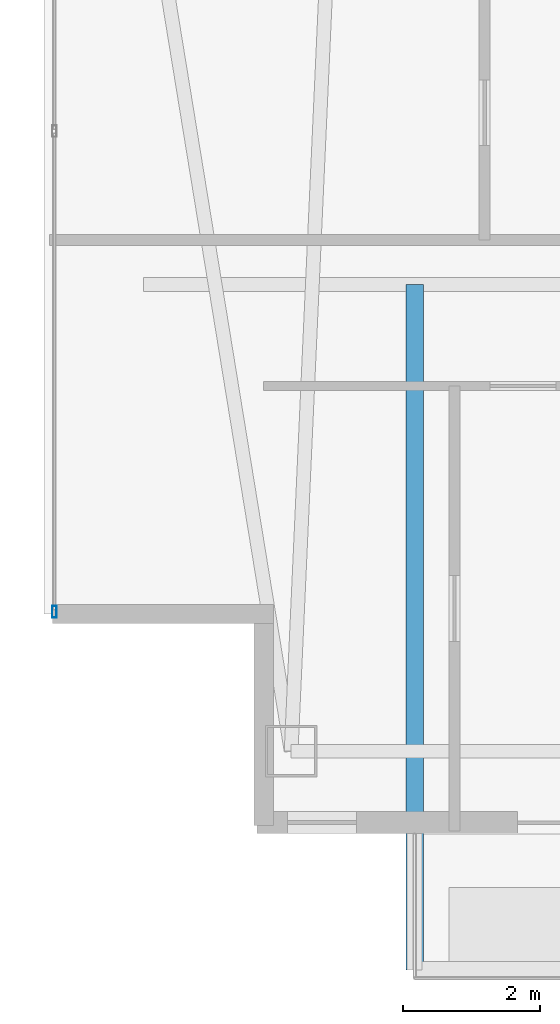
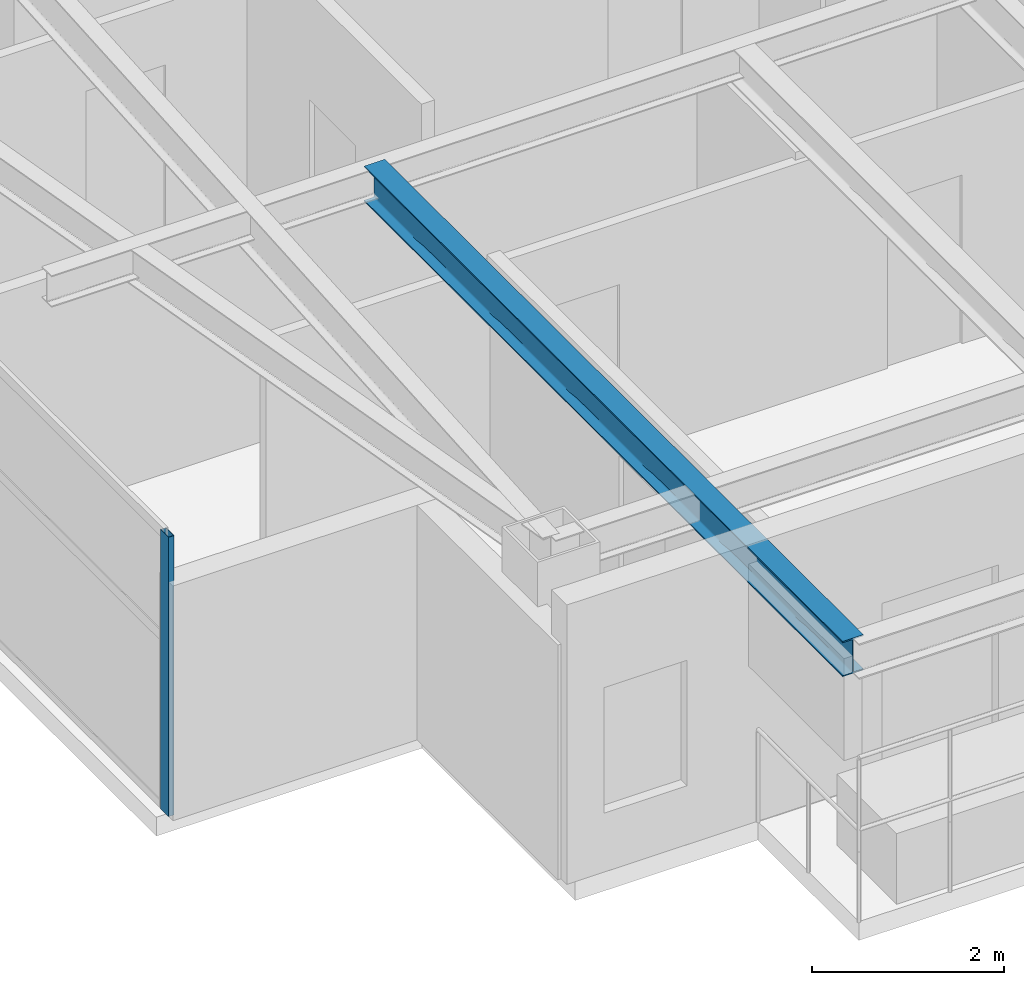
# One storey, part 2 of 29: 1 beam, 1 member, 1 element without a shape of its own.
"""IFC4 building model written with IfcOpenShell, lengths in metres."""

from ifc_helpers import new_model, si_unit, direction, frame, origin, origin_2d, place, context, subcontext, project, spatial, hollow_rectangle, i_section, extrude, material, layer, layer_set, material_profile, profile_set, type_object, element, aggregate, save


model = new_model("IFC4")

# Units and contexts
model_context = context("Model", 3, precision=1e-05, world=origin(), true_north=direction((0.0, 1.0)))
body_context = subcontext(model_context, "Body", "Model", "MODEL_VIEW")
ifc_project = project(units=[si_unit("LENGTHUNIT", "METRE"), si_unit("AREAUNIT", "SQUARE_METRE"), si_unit("VOLUMEUNIT", "CUBIC_METRE"), si_unit("PLANEANGLEUNIT", "RADIAN"), si_unit("MASSUNIT", "GRAM", prefix="KILO")], contexts=[model_context])

# Site, building, storey
site_placement = place(None, origin())
site = spatial("IfcSite", under=ifc_project, at=site_placement, CompositionType="ELEMENT")
building_placement = place(site_placement, origin())
building = spatial("IfcBuilding", under=site, at=building_placement, Name="Calvorn Quay Hotel", CompositionType="ELEMENT")
storey_placement = place(building_placement, frame((0.0, 0.0, 255.199951171875)))
storey = spatial("IfcBuildingStorey", under=building, at=storey_placement, Name="L63", CompositionType="ELEMENT", Elevation=255.199951171875)

# Beam
ifc_material_1 = material(Name="Steel Q355B", Category="steel")
ifc_material_profile_1 = material_profile(ifc_material_1, i_section(OverallWidth=0.25, OverallDepth=0.449951171875, WebThickness=0.011962890625, FlangeThickness=0.01611328125, FilletRadius=0.01611328125, at=origin_2d()), Name="HN450x250x12x16")
ifc_profile_set_1 = profile_set([ifc_material_profile_1], Name="Steel Q355B")
beam_type = type_object("IfcBeamType", Name="BM-CANT-BALC", PredefinedType="BEAM", material=ifc_profile_set_1)
beam_placement = place(storey_placement, frame((5.39990234375, 10.39990234375, 3.31494140625), z_axis=(0.0, -1.0, 0.0), x_axis=(1.0, 0.0, 0.0)))
element("IfcBeam", 1, at=beam_placement, inside=storey, type_object=beam_type, Name="Cantilever Balcony Beam BCB-L64-2A", PredefinedType="BEAM", context=body_context, shape_type="SweptSolid", body=[
    extrude(i_section(OverallWidth=0.25, OverallDepth=0.449951171875, WebThickness=0.011962890625, FlangeThickness=0.01611328125, FilletRadius=0.01611328125, at=origin_2d()), origin(), (0.0, 0.0, 1.0), 9.989990234375),
])

# Curtain wall, member
ifc_material_2 = material(Name="Champagne Bronze Anodised Aluminium and Low-E Glass", Category="aluminium")
ifc_layer = layer(ifc_material_2, 0.219970703125)
ifc_layer_set = layer_set([ifc_layer], Name="CW-SYS-Z4")
curtain_wall_type = type_object("IfcCurtainWallType", Name="CW-SYS-Z4", PredefinedType="NOTDEFINED", material=ifc_layer_set)
curtain_wall_placement = place(storey_placement, origin())
curtain_wall = element("IfcCurtainWall", 2, at=curtain_wall_placement, inside=storey, type_object=curtain_wall_type, Name="Tower West Curtain Wall (L63)", PredefinedType="NOTDEFINED")
ifc_material_3 = material(Name="Champagne Bronze Anodised Aluminium 6063-T6", Category="aluminium")
ifc_material_profile_2 = material_profile(ifc_material_3, hollow_rectangle(XDim=0.06494140625, YDim=0.169921875, WallThickness=0.00341796875, at=origin_2d()), Name="ALU-M170x65x3.5")
ifc_profile_set_2 = profile_set([ifc_material_profile_2], Name="Champagne Bronze Anodised Aluminium 6063-T6")
member_type = type_object("IfcMemberType", Name="CW-SYS-Z4-MUL", PredefinedType="MULLION", material=ifc_profile_set_2)
member_placement = place(storey_placement, frame((0.14990234375, 5.6298828125, 0.0), z_axis=(0.0, 0.0, 1.0), x_axis=(-1.0, 0.0, 0.0)))
member = element("IfcMember", 3, at=member_placement, type_object=member_type, Name="CW-L63-W mullion 1", PredefinedType="MULLION", context=body_context, shape_type="SweptSolid", body=[
    extrude(hollow_rectangle(XDim=0.06494140625, YDim=0.169921875, WallThickness=0.00341796875, at=origin_2d()), origin(), (0.0, 0.0, 1.0), 3.56005859375),
])
aggregate(curtain_wall, [member])

save(model, "model.ifc")
